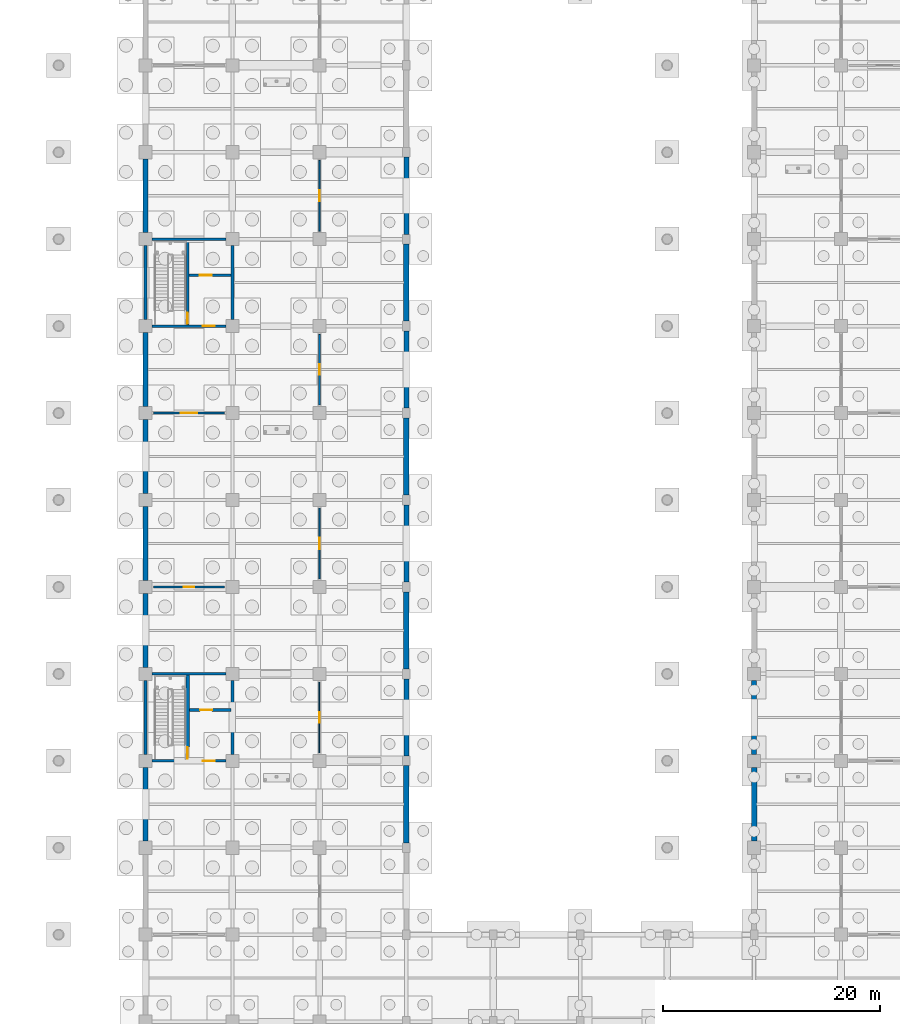
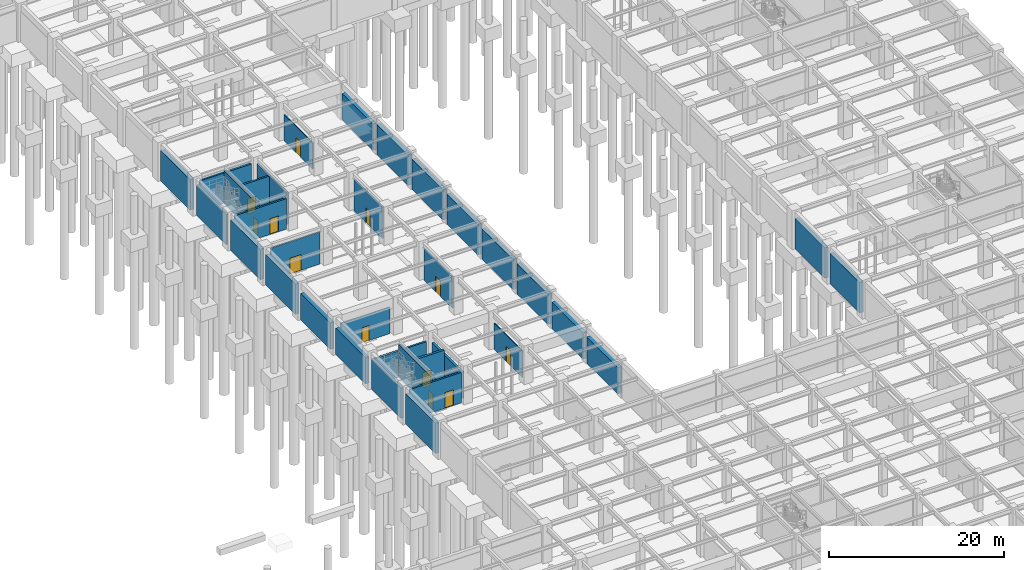
# One storey, part 76 of 97: 34 walls, 12 doors, 12 openings.
"""IFC4 building model written with IfcOpenShell, lengths in metres."""

from ifc_helpers import new_model, si_unit, direction, frame, frame_2d, origin, place, context, subcontext, project, spatial, rectangle, extrude, material, layer, layer_set, type_object, element, fill, save


model = new_model("IFC4")

# Units and contexts
model_context = context("Model", 3, precision=1e-05, world=origin(), true_north=direction((0.0, 1.0)))
body_context = subcontext(model_context, "Body", "Model", "MODEL_VIEW")
ifc_project = project(units=[si_unit("LENGTHUNIT", "METRE"), si_unit("AREAUNIT", "SQUARE_METRE"), si_unit("VOLUMEUNIT", "CUBIC_METRE"), si_unit("PLANEANGLEUNIT", "RADIAN"), si_unit("MASSUNIT", "GRAM", prefix="KILO")], contexts=[model_context])

# Site, building, storey
site_placement = place(None, origin())
site = spatial("IfcSite", under=ifc_project, at=site_placement, CompositionType="ELEMENT")
building_placement = place(site_placement, origin())
building = spatial("IfcBuilding", under=site, at=building_placement, Name="Haebicheon Civic Stadium", CompositionType="ELEMENT")
storey_placement = place(building_placement, frame((0.0, 0.0, -5.39990234375)))
storey = spatial("IfcBuildingStorey", under=building, at=storey_placement, Name="B1", CompositionType="ELEMENT", Elevation=-5.39990234375)

# Wall, opening, door
ifc_material_1 = material(Name="Concrete C40/50", Category="concrete")
ifc_layer_1 = layer(ifc_material_1, 0.239990234375, Name="Concrete C40/50")
ifc_layer_set_1 = layer_set([ifc_layer_1], Name="Concrete C40/50")
wall_type_1 = type_object("IfcWallType", Name="CW-SHR-240", PredefinedType="SHEAR", material=ifc_layer_set_1)
wall_1_placement = place(storey_placement, frame((144.60009765625, 64.0, 0.0), z_axis=(0.0, 0.0, 1.0), x_axis=(1.0, 0.0, 0.0)))
wall_1 = element("IfcWall", 1, at=wall_1_placement, inside=storey, type_object=wall_type_1, material=ifc_layer_set_1, Name="KC-10 B1 south core shear wall", PredefinedType="SHEAR", context=body_context, shape_type="SweptSolid", body=[
    extrude(rectangle(XDim=6.7998046875, YDim=0.239990234375, at=frame_2d((3.39990234375, 0.0))), origin(), (0.0, 0.0, 1.0), 4.239990234375),
])
opening_1_placement = place(wall_1_placement, frame((4.64990234375, 0.0, 0.0)))
opening_1 = element("IfcOpeningElement", 2, at=opening_1_placement, cuts=wall_1, Name="Opening D-B1-KC-10-LOB", PredefinedType="OPENING", context=body_context, shape_type="SweptSolid", body=[
    extrude(rectangle(XDim=1.10009765625, YDim=2.199951171875, at=frame_2d((0.550048828125, 1.10009765625))), frame((0.0, 0.1298828125, 0.0), z_axis=(0.0, -1.0, 0.0), x_axis=(1.0, 0.0, 0.0)), (0.0, 0.0, 1.0), 0.260009765625),
])
ifc_material_2 = material(Name="Galvanised painted steel SM355", Category="steel")
door_type_1 = type_object("IfcDoorType", Name="ID-FD-1100", OperationType="NOTDEFINED", PredefinedType="DOOR", material=ifc_material_2)
door_1_placement = place(opening_1_placement, origin())
door_1 = element("IfcDoor", 3, at=door_1_placement, inside=storey, type_object=door_type_1, material=ifc_material_2, Name="B1 KC-10 lobby fire door", OperationType="SINGLE_SWING_RIGHT", OverallHeight=2.199951171875, OverallWidth=1.10009765625, PredefinedType="DOOR", context=body_context, shape_type="SweptSolid", body=[
    extrude(rectangle(XDim=1.10009765625, YDim=2.199951171875, at=frame_2d((0.550048828125, 1.10009765625))), frame((0.0, 0.02490234375, 0.0), z_axis=(0.0, -1.0, 0.0), x_axis=(1.0, 0.0, 0.0)), (0.0, 0.0, 1.0), 0.050048828125),
])
fill(opening_1, door_1)

# Wall
wall_2_placement = place(storey_placement, frame((144.60009765625, 72.0, 0.0), z_axis=(0.0, 0.0, 1.0), x_axis=(1.0, 0.0, 0.0)))
element("IfcWall", 4, at=wall_2_placement, inside=storey, type_object=wall_type_1, material=ifc_layer_set_1, Name="KC-10 B1 north core shear wall", PredefinedType="SHEAR", context=body_context, shape_type="SweptSolid", body=[
    extrude(rectangle(XDim=6.7998046875, YDim=0.239990234375, at=frame_2d((3.39990234375, 0.0))), origin(), (0.0, 0.0, 1.0), 3.68994140625),
])

# Wall, opening, door
wall_3_placement = place(storey_placement, frame((144.60009765625, 104.0, 0.0), z_axis=(0.0, 0.0, 1.0), x_axis=(1.0, 0.0, 0.0)))
wall_3 = element("IfcWall", 5, at=wall_3_placement, inside=storey, type_object=wall_type_1, material=ifc_layer_set_1, Name="KC-11 B1 south core shear wall", PredefinedType="SHEAR", context=body_context, shape_type="SweptSolid", body=[
    extrude(rectangle(XDim=6.7998046875, YDim=0.239990234375, at=frame_2d((3.39990234375, 0.0))), origin(), (0.0, 0.0, 1.0), 4.239990234375),
])
opening_2_placement = place(wall_3_placement, frame((4.64990234375, 0.0, 0.0)))
opening_2 = element("IfcOpeningElement", 6, at=opening_2_placement, cuts=wall_3, Name="Opening D-B1-KC-11-LOB", PredefinedType="OPENING", context=body_context, shape_type="SweptSolid", body=[
    extrude(rectangle(XDim=1.10009765625, YDim=2.199951171875, at=frame_2d((0.550048828125, 1.10009765625))), frame((0.0, 0.1298828125, 0.0), z_axis=(0.0, -1.0, 0.0), x_axis=(1.0, 0.0, 0.0)), (0.0, 0.0, 1.0), 0.260009765625),
])
door_2_placement = place(opening_2_placement, origin())
door_2 = element("IfcDoor", 7, at=door_2_placement, inside=storey, type_object=door_type_1, material=ifc_material_2, Name="B1 KC-11 lobby fire door", OperationType="SINGLE_SWING_LEFT", OverallHeight=2.199951171875, OverallWidth=1.10009765625, PredefinedType="DOOR", context=body_context, shape_type="SweptSolid", body=[
    extrude(rectangle(XDim=1.10009765625, YDim=2.199951171875, at=frame_2d((0.550048828125, 1.10009765625))), frame((0.0, 0.02490234375, 0.0), z_axis=(0.0, -1.0, 0.0), x_axis=(1.0, 0.0, 0.0)), (0.0, 0.0, 1.0), 0.050048828125),
])
fill(opening_2, door_2)

# Walls
for number, where, z_axis, x_axis, name in (
    (8, (144.60009765625, 112.0, 0.0), (0.0, 0.0, 1.0), (1.0, 0.0, 0.0), "KC-11 B1 north core shear wall"),
    (9, (144.0, 104.60009765625, 0.0), (0.0, 0.0, 1.0), (0.0, 1.0, 0.0), "KC-11 B1 west core shear wall"),
):
    element("IfcWall", number, at=place(storey_placement, frame(where, z_axis=z_axis, x_axis=x_axis)), inside=storey, type_object=wall_type_1, material=ifc_layer_set_1, Name=name, PredefinedType="SHEAR", context=body_context, shape_type="SweptSolid", body=[
        extrude(rectangle(XDim=6.7998046875, YDim=0.239990234375, at=frame_2d((3.39990234375, 0.0))), origin(), (0.0, 0.0, 1.0), 4.239990234375),
    ])
wall_4_placement = place(storey_placement, frame((152.0, 104.60009765625, 0.0), z_axis=(0.0, 0.0, 1.0), x_axis=(0.0, 1.0, 0.0)))
element("IfcWall", 10, at=wall_4_placement, inside=storey, type_object=wall_type_1, material=ifc_layer_set_1, Name="KC-11 B1 east core shear wall", PredefinedType="SHEAR", context=body_context, shape_type="SweptSolid", body=[
    extrude(rectangle(XDim=6.7998046875, YDim=0.239990234375, at=frame_2d((3.39990234375, 0.0))), origin(), (0.0, 0.0, 1.0), 4.389892578125),
])

# Wall, opening, door
wall_5_placement = place(storey_placement, frame((147.8798828125, 104.1201171875, 0.0), z_axis=(0.0, 0.0, 1.0), x_axis=(0.0, 1.0, 0.0)))
wall_5 = element("IfcWall", 11, at=wall_5_placement, inside=storey, type_object=wall_type_1, material=ifc_layer_set_1, Name="KC-11 B1 stair-lobby dividing shear wall", PredefinedType="SHEAR", context=body_context, shape_type="SweptSolid", body=[
    extrude(rectangle(XDim=7.759765625, YDim=0.239990234375, at=frame_2d((3.8798828125, 0.0))), origin(), (0.0, 0.0, 1.0), 4.58984375),
])
opening_3_placement = place(wall_5_placement, frame((0.080078125, 0.0, 0.0)))
opening_3 = element("IfcOpeningElement", 12, at=opening_3_placement, cuts=wall_5, Name="Opening D-B1-KC-11-STR", PredefinedType="OPENING", context=body_context, shape_type="SweptSolid", body=[
    extrude(rectangle(XDim=1.050048828125, YDim=2.14990234375, at=frame_2d((0.52490234375, 1.074951171875))), frame((0.0, 0.1298828125, 0.0), z_axis=(0.0, -1.0, 0.0), x_axis=(1.0, 0.0, 0.0)), (0.0, 0.0, 1.0), 0.260009765625),
])
ifc_material_3 = material(Name="Galvanised painted steel SM355", Category="steel")
door_type_2 = type_object("IfcDoorType", Name="ID-FD-1050", OperationType="NOTDEFINED", PredefinedType="DOOR", material=ifc_material_3)
door_3_placement = place(opening_3_placement, origin())
door_3 = element("IfcDoor", 13, at=door_3_placement, inside=storey, type_object=door_type_2, material=ifc_material_3, Name="B1 ST-11 stairwell escape door", OperationType="SINGLE_SWING_RIGHT", OverallHeight=2.14990234375, OverallWidth=1.050048828125, PredefinedType="DOOR", context=body_context, shape_type="SweptSolid", body=[
    extrude(rectangle(XDim=1.050048828125, YDim=2.14990234375, at=frame_2d((0.52490234375, 1.074951171875))), frame((0.0, 0.02490234375, 0.0), z_axis=(0.0, -1.0, 0.0), x_axis=(1.0, 0.0, 0.0)), (0.0, 0.0, 1.0), 0.050048828125),
])
fill(opening_3, door_3)

wall_6_placement = place(storey_placement, frame((148.0, 108.679931640625, 0.0), z_axis=(0.0, 0.0, 1.0), x_axis=(1.0, 0.0, 0.0)))
wall_6 = element("IfcWall", 14, at=wall_6_placement, inside=storey, type_object=wall_type_1, material=ifc_layer_set_1, Name="KC-11 B1 lift shaft front wall", PredefinedType="SHEAR", context=body_context, shape_type="SweptSolid", body=[
    extrude(rectangle(XDim=3.8798828125, YDim=0.239990234375, at=frame_2d((1.93994140625, 0.0))), origin(), (0.0, 0.0, 1.0), 4.389892578125),
])
opening_4_placement = place(wall_6_placement, frame((1.0, 0.0, 0.0)))
opening_4 = element("IfcOpeningElement", 15, at=opening_4_placement, cuts=wall_6, Name="Opening LD-08-B1", PredefinedType="OPENING", context=body_context, shape_type="SweptSolid", body=[
    extrude(rectangle(XDim=1.10009765625, YDim=2.14990234375, at=frame_2d((0.550048828125, 1.074951171875))), frame((0.0, 0.1298828125, 0.0), z_axis=(0.0, -1.0, 0.0), x_axis=(1.0, 0.0, 0.0)), (0.0, 0.0, 1.0), 0.260009765625),
])
ifc_material_4 = material(Name="Stainless steel 316", Category="steel")
door_type_3 = type_object("IfcDoorType", Name="ID-LD-1100", OperationType="NOTDEFINED", PredefinedType="DOOR", material=ifc_material_4)
door_4_placement = place(opening_4_placement, origin())
door_4 = element("IfcDoor", 16, at=door_4_placement, inside=storey, type_object=door_type_3, material=ifc_material_4, Name="LF-08 lift landing sliding door B1", OperationType="SLIDING_TO_LEFT", OverallHeight=2.14990234375, OverallWidth=1.10009765625, PredefinedType="DOOR", context=body_context, shape_type="SweptSolid", body=[
    extrude(rectangle(XDim=1.10009765625, YDim=2.14990234375, at=frame_2d((0.550048828125, 1.074951171875))), frame((0.0, 0.02490234375, 0.0), z_axis=(0.0, -1.0, 0.0), x_axis=(1.0, 0.0, 0.0)), (0.0, 0.0, 1.0), 0.050048828125),
])
fill(opening_4, door_4)

# Walls
ifc_material_5 = material(Name="Concrete C40/50", Category="concrete")
ifc_layer_2 = layer(ifc_material_5, 0.300048828125, Name="Concrete C40/50")
ifc_layer_set_2 = layer_set([ifc_layer_2], Name="Concrete C40/50")
wall_type_2 = type_object("IfcWallType", Name="CW-SHR-300", PredefinedType="SHEAR", material=ifc_layer_set_2)
wall_7_placement = place(storey_placement, frame((144.0, 64.60009765625, 0.0), z_axis=(0.0, 0.0, 1.0), x_axis=(0.0, 1.0, 0.0)))
element("IfcWall", 17, at=wall_7_placement, inside=storey, type_object=wall_type_2, material=ifc_layer_set_2, Name="KC-10 B1 west core shear wall", PredefinedType="SHEAR", context=body_context, shape_type="SweptSolid", body=[
    extrude(rectangle(XDim=6.7998046875, YDim=0.300048828125, at=frame_2d((3.39990234375, 0.0))), origin(), (0.0, 0.0, 1.0), 4.239990234375),
])
wall_8_placement = place(storey_placement, frame((152.0, 64.60009765625, 0.0), z_axis=(0.0, 0.0, 1.0), x_axis=(0.0, 1.0, 0.0)))
element("IfcWall", 18, at=wall_8_placement, inside=storey, type_object=wall_type_2, material=ifc_layer_set_2, Name="KC-10 B1 east core shear wall", PredefinedType="SHEAR", context=body_context, shape_type="SweptSolid", body=[
    extrude(rectangle(XDim=6.7998046875, YDim=0.300048828125, at=frame_2d((3.39990234375, 0.0))), origin(), (0.0, 0.0, 1.0), 3.68994140625),
])

# Wall, opening, door
wall_9_placement = place(storey_placement, frame((147.8798828125, 64.1201171875, 0.0), z_axis=(0.0, 0.0, 1.0), x_axis=(0.0, 1.0, 0.0)))
wall_9 = element("IfcWall", 19, at=wall_9_placement, inside=storey, type_object=wall_type_2, material=ifc_layer_set_2, Name="KC-10 B1 stair-lobby dividing shear wall", PredefinedType="SHEAR", context=body_context, shape_type="SweptSolid", body=[
    extrude(rectangle(XDim=7.759765625, YDim=0.300048828125, at=frame_2d((3.8798828125, 0.0))), origin(), (0.0, 0.0, 1.0), 4.58984375),
])
opening_5_placement = place(wall_9_placement, frame((0.080078125, 0.0, 0.0)))
opening_5 = element("IfcOpeningElement", 20, at=opening_5_placement, cuts=wall_9, Name="Opening D-B1-KC-10-STR", PredefinedType="OPENING", context=body_context, shape_type="SweptSolid", body=[
    extrude(rectangle(XDim=1.050048828125, YDim=2.14990234375, at=frame_2d((0.52490234375, 1.074951171875))), frame((0.0, 0.159912109375, 0.0), z_axis=(0.0, -1.0, 0.0), x_axis=(1.0, 0.0, 0.0)), (0.0, 0.0, 1.0), 0.320068359375),
])
door_5_placement = place(opening_5_placement, origin())
door_5 = element("IfcDoor", 21, at=door_5_placement, inside=storey, type_object=door_type_2, material=ifc_material_3, Name="B1 ST-10 stairwell escape door", OperationType="SINGLE_SWING_LEFT", OverallHeight=2.14990234375, OverallWidth=1.050048828125, PredefinedType="DOOR", context=body_context, shape_type="SweptSolid", body=[
    extrude(rectangle(XDim=1.050048828125, YDim=2.14990234375, at=frame_2d((0.52490234375, 1.074951171875))), frame((0.0, 0.02490234375, 0.0), z_axis=(0.0, -1.0, 0.0), x_axis=(1.0, 0.0, 0.0)), (0.0, 0.0, 1.0), 0.050048828125),
])
fill(opening_5, door_5)

wall_10_placement = place(storey_placement, frame((148.030029296875, 68.679931640625, 0.0), z_axis=(0.0, 0.0, 1.0), x_axis=(1.0, 0.0, 0.0)))
wall_10 = element("IfcWall", 22, at=wall_10_placement, inside=storey, type_object=wall_type_2, material=ifc_layer_set_2, Name="KC-10 B1 lift shaft front wall", PredefinedType="SHEAR", context=body_context, shape_type="SweptSolid", body=[
    extrude(rectangle(XDim=3.820068359375, YDim=0.300048828125, at=frame_2d((1.91015625, 0.0))), origin(), (0.0, 0.0, 1.0), 4.389892578125),
])
opening_6_placement = place(wall_10_placement, frame((1.0, 0.0, 0.0)))
opening_6 = element("IfcOpeningElement", 23, at=opening_6_placement, cuts=wall_10, Name="Opening LD-07-B1", PredefinedType="OPENING", context=body_context, shape_type="SweptSolid", body=[
    extrude(rectangle(XDim=1.10009765625, YDim=2.14990234375, at=frame_2d((0.550048828125, 1.074951171875))), frame((0.0, 0.159912109375, 0.0), z_axis=(0.0, -1.0, 0.0), x_axis=(1.0, 0.0, 0.0)), (0.0, 0.0, 1.0), 0.320068359375),
])
door_6_placement = place(opening_6_placement, origin())
door_6 = element("IfcDoor", 24, at=door_6_placement, inside=storey, type_object=door_type_3, material=ifc_material_4, Name="LF-07 lift landing sliding door B1", OperationType="SLIDING_TO_LEFT", OverallHeight=2.14990234375, OverallWidth=1.10009765625, PredefinedType="DOOR", context=body_context, shape_type="SweptSolid", body=[
    extrude(rectangle(XDim=1.10009765625, YDim=2.14990234375, at=frame_2d((0.550048828125, 1.074951171875))), frame((0.0, 0.02490234375, 0.0), z_axis=(0.0, -1.0, 0.0), x_axis=(1.0, 0.0, 0.0)), (0.0, 0.0, 1.0), 0.050048828125),
])
fill(opening_6, door_6)

# Walls
ifc_material_6 = material(Name="Concrete C40/50", Category="concrete")
ifc_layer_3 = layer(ifc_material_6, 0.4599609375, Name="Concrete C40/50")
ifc_layer_set_3 = layer_set([ifc_layer_3], Name="Concrete C40/50")
wall_type_3 = type_object("IfcWallType", Name="EW-RET-460", PredefinedType="STANDARD", material=ifc_layer_set_3)
wall_11_placement = place(storey_placement, frame((144.0, 56.60009765625, 0.0), z_axis=(0.0, 0.0, 1.0), x_axis=(0.0, 1.0, 0.0)))
element("IfcWall", 25, at=wall_11_placement, inside=storey, type_object=wall_type_3, material=ifc_layer_set_3, Name="B1 retaining wall 18-07-W", PredefinedType="STANDARD", context=body_context, shape_type="SweptSolid", body=[
    extrude(rectangle(XDim=6.7998046875, YDim=0.4599609375, at=frame_2d((3.39990234375, 0.0))), origin(), (0.0, 0.0, 1.0), 4.239990234375),
])
wall_12_placement = place(storey_placement, frame((144.0, 72.60009765625, 0.0), z_axis=(0.0, 0.0, 1.0), x_axis=(0.0, 1.0, 0.0)))
element("IfcWall", 26, at=wall_12_placement, inside=storey, type_object=wall_type_3, material=ifc_layer_set_3, Name="B1 retaining wall 18-09-W", PredefinedType="STANDARD", context=body_context, shape_type="SweptSolid", body=[
    extrude(rectangle(XDim=6.7998046875, YDim=0.4599609375, at=frame_2d((3.39990234375, 0.0))), origin(), (0.0, 0.0, 1.0), 3.68994140625),
])
wall_13_placement = place(storey_placement, frame((144.0, 88.60009765625, 0.0), z_axis=(0.0, 0.0, 1.0), x_axis=(0.0, 1.0, 0.0)))
element("IfcWall", 27, at=wall_13_placement, inside=storey, type_object=wall_type_3, material=ifc_layer_set_3, Name="B1 retaining wall 18-11-W", PredefinedType="STANDARD", context=body_context, shape_type="SweptSolid", body=[
    extrude(rectangle(XDim=6.7998046875, YDim=0.4599609375, at=frame_2d((3.39990234375, 0.0))), origin(), (0.0, 0.0, 1.0), 4.239990234375),
])
wall_14_placement = place(storey_placement, frame((168.0, 64.449951171875, 0.0), z_axis=(0.0, 0.0, 1.0), x_axis=(0.0, 1.0, 0.0)))
element("IfcWall", 28, at=wall_14_placement, inside=storey, type_object=wall_type_3, material=ifc_layer_set_3, Name="B1 retaining wall 21-08-E", PredefinedType="STANDARD", context=body_context, shape_type="SweptSolid", body=[
    extrude(rectangle(XDim=7.10009765625, YDim=0.4599609375, at=frame_2d((3.550048828125, 0.0))), origin(), (0.0, 0.0, 1.0), 3.68994140625),
])
for number, where, z_axis, x_axis, name in (
    (29, (168.0, 80.449951171875, 0.0), (0.0, 0.0, 1.0), (0.0, 1.0, 0.0), "B1 retaining wall 21-10-E"),
    (30, (168.0, 96.449951171875, 0.0), (0.0, 0.0, 1.0), (0.0, 1.0, 0.0), "B1 retaining wall 21-12-E"),
):
    element("IfcWall", number, at=place(storey_placement, frame(where, z_axis=z_axis, x_axis=x_axis)), inside=storey, type_object=wall_type_3, material=ifc_layer_set_3, Name=name, PredefinedType="STANDARD", context=body_context, shape_type="SweptSolid", body=[
        extrude(rectangle(XDim=7.10009765625, YDim=0.4599609375, at=frame_2d((3.550048828125, 0.0))), origin(), (0.0, 0.0, 1.0), 4.239990234375),
    ])
wall_15_placement = place(storey_placement, frame((168.0, 112.449951171875, 0.0), z_axis=(0.0, 0.0, 1.0), x_axis=(0.0, 1.0, 0.0)))
element("IfcWall", 31, at=wall_15_placement, inside=storey, type_object=wall_type_3, material=ifc_layer_set_3, Name="B1 retaining wall 21-14-E", PredefinedType="STANDARD", context=body_context, shape_type="SweptSolid", body=[
    extrude(rectangle(XDim=7.10009765625, YDim=0.4599609375, at=frame_2d((3.550048828125, 0.0))), origin(), (0.0, 0.0, 1.0), 3.68994140625),
])
wall_16_placement = place(storey_placement, frame((200.0, 64.60009765625, 0.0), z_axis=(0.0, 0.0, 1.0), x_axis=(0.0, 1.0, 0.0)))
element("IfcWall", 32, at=wall_16_placement, inside=storey, type_object=wall_type_3, material=ifc_layer_set_3, Name="B1 retaining wall 25-08-W", PredefinedType="STANDARD", context=body_context, shape_type="SweptSolid", body=[
    extrude(rectangle(XDim=6.7998046875, YDim=0.4599609375, at=frame_2d((3.39990234375, 0.0))), origin(), (0.0, 0.0, 1.0), 4.239990234375),
])
ifc_material_7 = material(Name="Concrete C40/50", Category="concrete")
ifc_layer_4 = layer(ifc_material_7, 0.5, Name="Concrete C40/50")
ifc_layer_set_4 = layer_set([ifc_layer_4], Name="Concrete C40/50")
wall_type_4 = type_object("IfcWallType", Name="EW-RET-500", PredefinedType="STANDARD", material=ifc_layer_set_4)
wall_17_placement = place(storey_placement, frame((144.0, 80.60009765625, 0.0), z_axis=(0.0, 0.0, 1.0), x_axis=(0.0, 1.0, 0.0)))
element("IfcWall", 33, at=wall_17_placement, inside=storey, type_object=wall_type_4, material=ifc_layer_set_4, Name="B1 retaining wall 18-10-W", PredefinedType="STANDARD", context=body_context, shape_type="SweptSolid", body=[
    extrude(rectangle(XDim=6.7998046875, YDim=0.5, at=frame_2d((3.39990234375, 0.0))), origin(), (0.0, 0.0, 1.0), 3.68994140625),
])
for number, where, z_axis, x_axis, name in (
    (34, (144.0, 96.60009765625, 0.0), (0.0, 0.0, 1.0), (0.0, 1.0, 0.0), "B1 retaining wall 18-12-W"),
    (35, (144.0, 112.60009765625, 0.0), (0.0, 0.0, 1.0), (0.0, 1.0, 0.0), "B1 retaining wall 18-14-W"),
):
    element("IfcWall", number, at=place(storey_placement, frame(where, z_axis=z_axis, x_axis=x_axis)), inside=storey, type_object=wall_type_4, material=ifc_layer_set_4, Name=name, PredefinedType="STANDARD", context=body_context, shape_type="SweptSolid", body=[
        extrude(rectangle(XDim=6.7998046875, YDim=0.5, at=frame_2d((3.39990234375, 0.0))), origin(), (0.0, 0.0, 1.0), 4.239990234375),
    ])
wall_18_placement = place(storey_placement, frame((168.0, 56.449951171875, 0.0), z_axis=(0.0, 0.0, 1.0), x_axis=(0.0, 1.0, 0.0)))
element("IfcWall", 36, at=wall_18_placement, inside=storey, type_object=wall_type_4, material=ifc_layer_set_4, Name="B1 retaining wall 21-07-E", PredefinedType="STANDARD", context=body_context, shape_type="SweptSolid", body=[
    extrude(rectangle(XDim=7.10009765625, YDim=0.5, at=frame_2d((3.550048828125, 0.0))), origin(), (0.0, 0.0, 1.0), 3.68994140625),
])
for number, where, z_axis, x_axis, name in (
    (37, (168.0, 72.449951171875, 0.0), (0.0, 0.0, 1.0), (0.0, 1.0, 0.0), "B1 retaining wall 21-09-E"),
    (38, (168.0, 88.449951171875, 0.0), (0.0, 0.0, 1.0), (0.0, 1.0, 0.0), "B1 retaining wall 21-11-E"),
    (39, (168.0, 104.449951171875, 0.0), (0.0, 0.0, 1.0), (0.0, 1.0, 0.0), "B1 retaining wall 21-13-E"),
):
    element("IfcWall", number, at=place(storey_placement, frame(where, z_axis=z_axis, x_axis=x_axis)), inside=storey, type_object=wall_type_4, material=ifc_layer_set_4, Name=name, PredefinedType="STANDARD", context=body_context, shape_type="SweptSolid", body=[
        extrude(rectangle(XDim=7.10009765625, YDim=0.5, at=frame_2d((3.550048828125, 0.0))), origin(), (0.0, 0.0, 1.0), 4.239990234375),
    ])
wall_19_placement = place(storey_placement, frame((200.0, 56.60009765625, 0.0), z_axis=(0.0, 0.0, 1.0), x_axis=(0.0, 1.0, 0.0)))
element("IfcWall", 40, at=wall_19_placement, inside=storey, type_object=wall_type_4, material=ifc_layer_set_4, Name="B1 retaining wall 25-07-W", PredefinedType="STANDARD", context=body_context, shape_type="SweptSolid", body=[
    extrude(rectangle(XDim=6.7998046875, YDim=0.5, at=frame_2d((3.39990234375, 0.0))), origin(), (0.0, 0.0, 1.0), 4.239990234375),
])

# Wall, opening, door
ifc_material_8 = material(Name="Anodised aluminium and laminated glass", Category="aluminium")
ifc_layer_5 = layer(ifc_material_8, 0.10009765625, Name="Anodised aluminium and laminated glass")
ifc_layer_set_5 = layer_set([ifc_layer_5], Name="Anodised aluminium and laminated glass")
wall_type_5 = type_object("IfcWallType", Name="IW-PRT-100", PredefinedType="PARTITIONING", material=ifc_layer_set_5)
wall_20_placement = place(storey_placement, frame((160.0, 64.75, 0.0), z_axis=(0.0, 0.0, 1.0), x_axis=(0.0, 1.0, 0.0)))
wall_20 = element("IfcWall", 41, at=wall_20_placement, inside=storey, type_object=wall_type_5, material=ifc_layer_set_5, Name="B1 Broadcast Fibre Patch Room partition wall", PredefinedType="PARTITIONING", context=body_context, shape_type="SweptSolid", body=[
    extrude(rectangle(XDim=6.5, YDim=0.10009765625, at=frame_2d((3.25, 0.0))), origin(), (0.0, 0.0, 1.0), 3.68994140625),
])
opening_7_placement = place(wall_20_placement, frame((2.77490234375, 0.0, 0.0)))
opening_7 = element("IfcOpeningElement", 42, at=opening_7_placement, cuts=wall_20, Name="Opening D-B1-077", PredefinedType="OPENING", context=body_context, shape_type="SweptSolid", body=[
    extrude(rectangle(XDim=0.949951171875, YDim=2.10009765625, at=frame_2d((0.47509765625, 1.050048828125))), frame((0.0, 0.06005859375, 0.0), z_axis=(0.0, -1.0, 0.0), x_axis=(1.0, 0.0, 0.0)), (0.0, 0.0, 1.0), 0.1201171875),
])
ifc_material_9 = material(Name="Engineered hardwood timber", Category="wood")
door_type_4 = type_object("IfcDoorType", Name="ID-RM-0950", OperationType="NOTDEFINED", PredefinedType="DOOR", material=ifc_material_9)
door_7_placement = place(opening_7_placement, origin())
door_7 = element("IfcDoor", 43, at=door_7_placement, inside=storey, type_object=door_type_4, material=ifc_material_9, Name="B1 Broadcast Fibre Patch Room entrance door D-B1-077", OperationType="SINGLE_SWING_LEFT", OverallHeight=2.10009765625, OverallWidth=0.949951171875, PredefinedType="DOOR", context=body_context, shape_type="SweptSolid", body=[
    extrude(rectangle(XDim=0.949951171875, YDim=2.10009765625, at=frame_2d((0.47509765625, 1.050048828125))), frame((0.0, 0.02490234375, 0.0), z_axis=(0.0, -1.0, 0.0), x_axis=(1.0, 0.0, 0.0)), (0.0, 0.0, 1.0), 0.050048828125),
])
fill(opening_7, door_7)

ifc_material_10 = material(Name="Gypsum plasterboard on steel studs", Category="gypsum")
ifc_layer_6 = layer(ifc_material_10, 0.1298828125, Name="Gypsum plasterboard on steel studs")
ifc_layer_set_6 = layer_set([ifc_layer_6], Name="Gypsum plasterboard on steel studs")
wall_type_6 = type_object("IfcWallType", Name="IW-PRT-130", PredefinedType="PARTITIONING", material=ifc_layer_set_6)
wall_21_placement = place(storey_placement, frame((160.0, 112.75, 0.0), z_axis=(0.0, 0.0, 1.0), x_axis=(0.0, 1.0, 0.0)))
wall_21 = element("IfcWall", 44, at=wall_21_placement, inside=storey, type_object=wall_type_6, material=ifc_layer_set_6, Name="B1 Broadcast Fibre Patch Room partition wall", PredefinedType="PARTITIONING", context=body_context, shape_type="SweptSolid", body=[
    extrude(rectangle(XDim=6.5, YDim=0.1298828125, at=frame_2d((3.25, 0.0))), origin(), (0.0, 0.0, 1.0), 3.68994140625),
])
opening_8_placement = place(wall_21_placement, frame((2.75, 0.0, 0.0)))
opening_8 = element("IfcOpeningElement", 45, at=opening_8_placement, cuts=wall_21, Name="Opening D-B1-080", PredefinedType="OPENING", context=body_context, shape_type="SweptSolid", body=[
    extrude(rectangle(XDim=1.0, YDim=2.10009765625, at=frame_2d((0.5, 1.050048828125))), frame((0.0, 0.074951171875, 0.0), z_axis=(0.0, -1.0, 0.0), x_axis=(1.0, 0.0, 0.0)), (0.0, 0.0, 1.0), 0.14990234375),
])
ifc_material_11 = material(Name="Engineered hardwood timber", Category="wood")
door_type_5 = type_object("IfcDoorType", Name="ID-RM-1000", OperationType="NOTDEFINED", PredefinedType="DOOR", material=ifc_material_11)
door_8_placement = place(opening_8_placement, origin())
door_8 = element("IfcDoor", 46, at=door_8_placement, inside=storey, type_object=door_type_5, material=ifc_material_11, Name="B1 Broadcast Fibre Patch Room entrance door D-B1-080", OperationType="SINGLE_SWING_RIGHT", OverallHeight=2.10009765625, OverallWidth=1.0, PredefinedType="DOOR", context=body_context, shape_type="SweptSolid", body=[
    extrude(rectangle(XDim=1.0, YDim=2.10009765625, at=frame_2d((0.5, 1.050048828125))), frame((0.0, 0.02490234375, 0.0), z_axis=(0.0, -1.0, 0.0), x_axis=(1.0, 0.0, 0.0)), (0.0, 0.0, 1.0), 0.050048828125),
])
fill(opening_8, door_8)

ifc_material_12 = material(Name="Gypsum plasterboard on steel studs", Category="gypsum")
ifc_layer_7 = layer(ifc_material_12, 0.14990234375, Name="Gypsum plasterboard on steel studs")
ifc_layer_set_7 = layer_set([ifc_layer_7], Name="Gypsum plasterboard on steel studs")
wall_type_7 = type_object("IfcWallType", Name="IW-PRT-150", PredefinedType="PARTITIONING", material=ifc_layer_set_7)
wall_22_placement = place(storey_placement, frame((160.0, 80.75, 0.0), z_axis=(0.0, 0.0, 1.0), x_axis=(0.0, 1.0, 0.0)))
wall_22 = element("IfcWall", 47, at=wall_22_placement, inside=storey, type_object=wall_type_7, material=ifc_layer_set_7, Name="B1 Athlete Hydrotherapy Recovery Suite partition wall", PredefinedType="PARTITIONING", context=body_context, shape_type="SweptSolid", body=[
    extrude(rectangle(XDim=6.5, YDim=0.14990234375, at=frame_2d((3.25, 0.0))), origin(), (0.0, 0.0, 1.0), 4.389892578125),
])
opening_9_placement = place(wall_22_placement, frame((2.72509765625, 0.0, 0.0)))
opening_9 = element("IfcOpeningElement", 48, at=opening_9_placement, cuts=wall_22, Name="Opening D-B1-078", PredefinedType="OPENING", context=body_context, shape_type="SweptSolid", body=[
    extrude(rectangle(XDim=1.050048828125, YDim=2.14990234375, at=frame_2d((0.52490234375, 1.074951171875))), frame((0.0, 0.0849609375, 0.0), z_axis=(0.0, -1.0, 0.0), x_axis=(1.0, 0.0, 0.0)), (0.0, 0.0, 1.0), 0.169921875),
])
ifc_material_13 = material(Name="Engineered hardwood timber", Category="wood")
door_type_6 = type_object("IfcDoorType", Name="ID-RM-1050", OperationType="NOTDEFINED", PredefinedType="DOOR", material=ifc_material_13)
door_9_placement = place(opening_9_placement, origin())
door_9 = element("IfcDoor", 49, at=door_9_placement, inside=storey, type_object=door_type_6, material=ifc_material_13, Name="B1 Athlete Hydrotherapy Recovery Suite entrance door D-B1-078", OperationType="SINGLE_SWING_RIGHT", OverallHeight=2.14990234375, OverallWidth=1.050048828125, PredefinedType="DOOR", context=body_context, shape_type="SweptSolid", body=[
    extrude(rectangle(XDim=1.050048828125, YDim=2.14990234375, at=frame_2d((0.52490234375, 1.074951171875))), frame((0.0, 0.02490234375, 0.0), z_axis=(0.0, -1.0, 0.0), x_axis=(1.0, 0.0, 0.0)), (0.0, 0.0, 1.0), 0.050048828125),
])
fill(opening_9, door_9)

ifc_material_14 = material(Name="Concrete C35/45", Category="concrete")
ifc_layer_8 = layer(ifc_material_14, 0.159912109375, Name="Concrete C35/45")
ifc_layer_set_8 = layer_set([ifc_layer_8], Name="Concrete C35/45")
wall_type_8 = type_object("IfcWallType", Name="IW-PRT-160", PredefinedType="PARTITIONING", material=ifc_layer_set_8)
wall_23_placement = place(storey_placement, frame((144.75, 80.0, 0.0), z_axis=(0.0, 0.0, 1.0), x_axis=(1.0, 0.0, 0.0)))
wall_23 = element("IfcWall", 50, at=wall_23_placement, inside=storey, type_object=wall_type_8, material=ifc_layer_set_8, Name="B1 Stadium Kit and Equipment Store partition wall", PredefinedType="PARTITIONING", context=body_context, shape_type="SweptSolid", body=[
    extrude(rectangle(XDim=6.5, YDim=0.159912109375, at=frame_2d((3.25, 0.0))), origin(), (0.0, 0.0, 1.0), 3.68994140625),
])
opening_10_placement = place(wall_23_placement, frame((2.77490234375, 0.0, 0.0)))
opening_10 = element("IfcOpeningElement", 51, at=opening_10_placement, cuts=wall_23, Name="Opening D-B1-041", PredefinedType="OPENING", context=body_context, shape_type="SweptSolid", body=[
    extrude(rectangle(XDim=0.949951171875, YDim=2.10009765625, at=frame_2d((0.47509765625, 1.050048828125))), frame((0.0, 0.08984375, 0.0), z_axis=(0.0, -1.0, 0.0), x_axis=(1.0, 0.0, 0.0)), (0.0, 0.0, 1.0), 0.179931640625),
])
door_10_placement = place(opening_10_placement, origin())
door_10 = element("IfcDoor", 52, at=door_10_placement, inside=storey, type_object=door_type_4, material=ifc_material_9, Name="B1 Stadium Kit and Equipment Store entrance door D-B1-041", OperationType="SINGLE_SWING_LEFT", OverallHeight=2.10009765625, OverallWidth=0.949951171875, PredefinedType="DOOR", context=body_context, shape_type="SweptSolid", body=[
    extrude(rectangle(XDim=0.949951171875, YDim=2.10009765625, at=frame_2d((0.47509765625, 1.050048828125))), frame((0.0, 0.02490234375, 0.0), z_axis=(0.0, -1.0, 0.0), x_axis=(1.0, 0.0, 0.0)), (0.0, 0.0, 1.0), 0.050048828125),
])
fill(opening_10, door_10)

wall_24_placement = place(storey_placement, frame((160.0, 96.75, 0.0), z_axis=(0.0, 0.0, 1.0), x_axis=(0.0, 1.0, 0.0)))
wall_24 = element("IfcWall", 53, at=wall_24_placement, inside=storey, type_object=wall_type_8, material=ifc_layer_set_8, Name="B1 Hospitality Cellar and Dry Store partition wall", PredefinedType="PARTITIONING", context=body_context, shape_type="SweptSolid", body=[
    extrude(rectangle(XDim=6.5, YDim=0.159912109375, at=frame_2d((3.25, 0.0))), origin(), (0.0, 0.0, 1.0), 4.389892578125),
])
opening_11_placement = place(wall_24_placement, frame((2.77490234375, 0.0, 0.0)))
opening_11 = element("IfcOpeningElement", 54, at=opening_11_placement, cuts=wall_24, Name="Opening D-B1-079", PredefinedType="OPENING", context=body_context, shape_type="SweptSolid", body=[
    extrude(rectangle(XDim=0.949951171875, YDim=2.10009765625, at=frame_2d((0.47509765625, 1.050048828125))), frame((0.0, 0.08984375, 0.0), z_axis=(0.0, -1.0, 0.0), x_axis=(1.0, 0.0, 0.0)), (0.0, 0.0, 1.0), 0.179931640625),
])
door_11_placement = place(opening_11_placement, origin())
door_11 = element("IfcDoor", 55, at=door_11_placement, inside=storey, type_object=door_type_4, material=ifc_material_9, Name="B1 Hospitality Cellar and Dry Store entrance door D-B1-079", OperationType="SINGLE_SWING_LEFT", OverallHeight=2.10009765625, OverallWidth=0.949951171875, PredefinedType="DOOR", context=body_context, shape_type="SweptSolid", body=[
    extrude(rectangle(XDim=0.949951171875, YDim=2.10009765625, at=frame_2d((0.47509765625, 1.050048828125))), frame((0.0, 0.02490234375, 0.0), z_axis=(0.0, -1.0, 0.0), x_axis=(1.0, 0.0, 0.0)), (0.0, 0.0, 1.0), 0.050048828125),
])
fill(opening_11, door_11)

ifc_material_15 = material(Name="Concrete C35/45", Category="concrete")
ifc_layer_9 = layer(ifc_material_15, 0.179931640625, Name="Concrete C35/45")
ifc_layer_set_9 = layer_set([ifc_layer_9], Name="Concrete C35/45")
wall_type_9 = type_object("IfcWallType", Name="IW-PRT-180", PredefinedType="PARTITIONING", material=ifc_layer_set_9)
wall_25_placement = place(storey_placement, frame((144.75, 96.0, 0.0), z_axis=(0.0, 0.0, 1.0), x_axis=(1.0, 0.0, 0.0)))
wall_25 = element("IfcWall", 56, at=wall_25_placement, inside=storey, type_object=wall_type_9, material=ifc_layer_set_9, Name="B1 Central Catering Production Kitchen partition wall", PredefinedType="PARTITIONING", context=body_context, shape_type="SweptSolid", body=[
    extrude(rectangle(XDim=6.5, YDim=0.179931640625, at=frame_2d((3.25, 0.0))), origin(), (0.0, 0.0, 1.0), 4.489990234375),
])
opening_12_placement = place(wall_25_placement, frame((2.5, 0.0, 0.0)))
opening_12 = element("IfcOpeningElement", 57, at=opening_12_placement, cuts=wall_25, Name="Opening D-B1-042", PredefinedType="OPENING", context=body_context, shape_type="SweptSolid", body=[
    extrude(rectangle(XDim=1.5, YDim=2.199951171875, at=frame_2d((0.75, 1.10009765625))), frame((0.0, 0.099853515625, 0.0), z_axis=(0.0, -1.0, 0.0), x_axis=(1.0, 0.0, 0.0)), (0.0, 0.0, 1.0), 0.199951171875),
])
ifc_material_16 = material(Name="Galvanised painted steel SM355", Category="steel")
door_type_7 = type_object("IfcDoorType", Name="ID-FD-1500", OperationType="NOTDEFINED", PredefinedType="DOOR", material=ifc_material_16)
door_12_placement = place(opening_12_placement, origin())
door_12 = element("IfcDoor", 58, at=door_12_placement, inside=storey, type_object=door_type_7, material=ifc_material_16, Name="B1 Central Catering Production Kitchen entrance door D-B1-042", OperationType="SINGLE_SWING_RIGHT", OverallHeight=2.199951171875, OverallWidth=1.5, PredefinedType="DOOR", context=body_context, shape_type="SweptSolid", body=[
    extrude(rectangle(XDim=1.5, YDim=2.199951171875, at=frame_2d((0.75, 1.10009765625))), frame((0.0, 0.02490234375, 0.0), z_axis=(0.0, -1.0, 0.0), x_axis=(1.0, 0.0, 0.0)), (0.0, 0.0, 1.0), 0.050048828125),
])
fill(opening_12, door_12)

save(model, "model.ifc")
